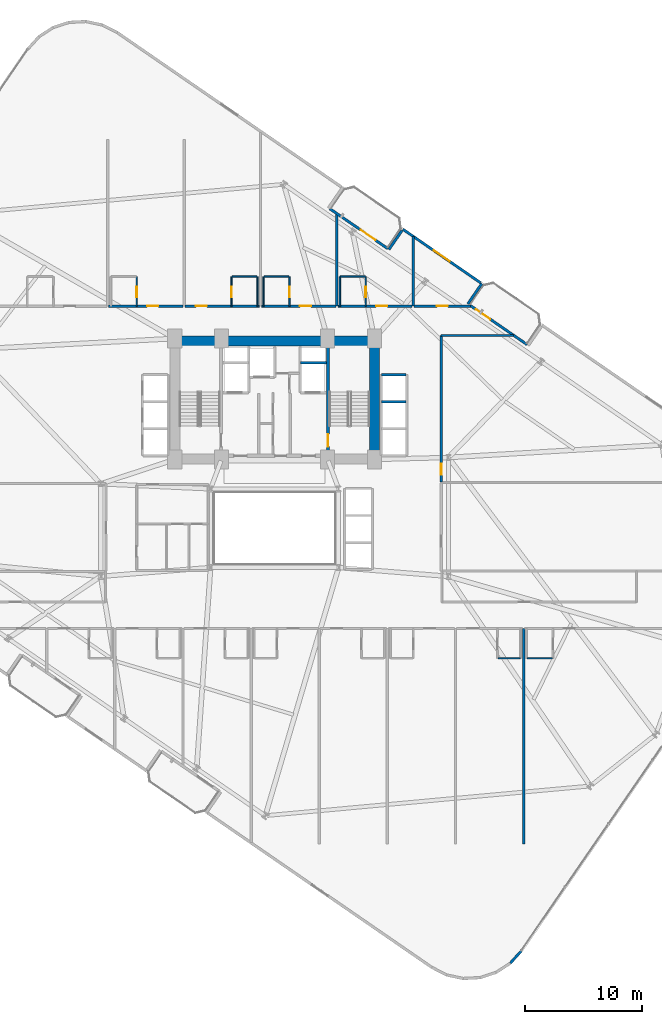
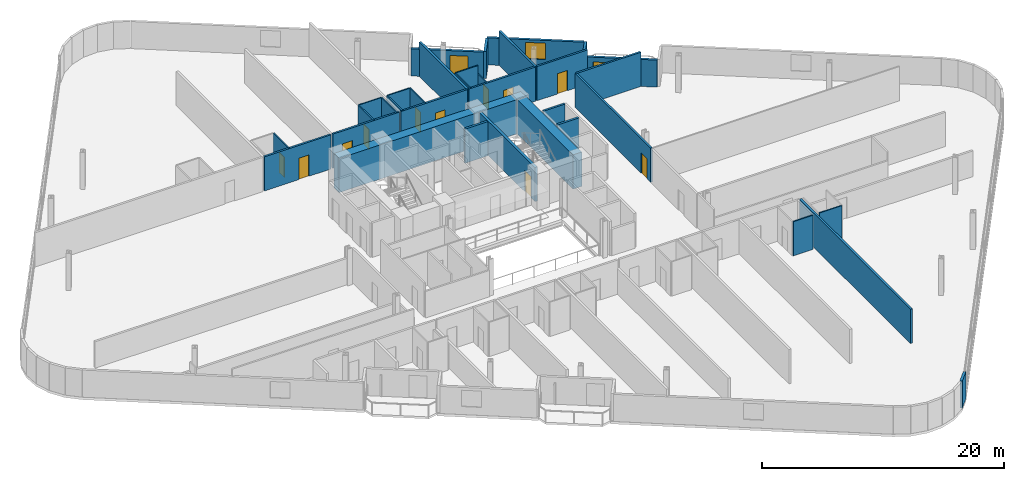
# One storey, part 20 of 25: 34 walls, 13 doors, 1 window, 14 openings.
"""IFC4 building model written with IfcOpenShell, lengths in metres."""

from ifc_helpers import new_model, si_unit, direction, frame, frame_2d, origin, place, context, subcontext, project, spatial, rectangle, extrude, material, layer, layer_set, type_object, element, fill, save


model = new_model("IFC4")

# Units and contexts
model_context = context("Model", 3, precision=1e-05, world=origin(), true_north=direction((0.0, 1.0)))
body_context = subcontext(model_context, "Body", "Model", "MODEL_VIEW")
ifc_project = project(units=[si_unit("LENGTHUNIT", "METRE"), si_unit("AREAUNIT", "SQUARE_METRE"), si_unit("VOLUMEUNIT", "CUBIC_METRE"), si_unit("PLANEANGLEUNIT", "RADIAN"), si_unit("MASSUNIT", "GRAM", prefix="KILO")], contexts=[model_context])

# Site, building, storey
site_placement = place(None, origin())
site = spatial("IfcSite", under=ifc_project, at=site_placement, CompositionType="ELEMENT")
building_placement = place(site_placement, origin())
building = spatial("IfcBuilding", under=site, at=building_placement, Name="Varnelok Gate Tower", CompositionType="ELEMENT")
storey_placement = place(building_placement, frame((0.0, 0.0, 64.0)))
storey = spatial("IfcBuildingStorey", under=building, at=storey_placement, Name="L15", CompositionType="ELEMENT", Elevation=64.0)

# Wall, opening, door
ifc_material_1 = material(Name="Concrete C45/55", Category="concrete")
ifc_layer_1 = layer(ifc_material_1, 0.219970703125)
ifc_layer_set_1 = layer_set([ifc_layer_1], Name="Concrete C45/55")
wall_type_1 = type_object("IfcWallType", Name="EW-BALC-220", PredefinedType="SOLIDWALL", material=ifc_layer_set_1)
wall_1_placement = place(storey_placement, frame((43.898193359375, 50.1015625, 0.0), z_axis=(0.0, 0.0, 1.0), x_axis=(0.823534636215, -0.567265989598, 0.0)))
wall_1 = element("IfcWall", 1, at=wall_1_placement, inside=storey, type_object=wall_type_1, Name="L15 North Terrace Envelope Wall 3", PredefinedType="SOLIDWALL", context=body_context, shape_type="SweptSolid", body=[
    extrude(rectangle(XDim=6.0, YDim=0.219970703125, at=frame_2d((3.0, 0.0))), origin(), (0.0, 0.0, 1.0), 2.72998046875),
])
opening_1_placement = place(wall_1_placement, frame((3.2119140625, 0.0, 0.0)))
opening_1 = element("IfcOpeningElement", 2, at=opening_1_placement, cuts=wall_1, Name="Opening BD-1", PredefinedType="OPENING", context=body_context, shape_type="SweptSolid", body=[
    extrude(rectangle(XDim=1.5, YDim=2.25, at=frame_2d((0.75, 1.125))), frame((0.0, 0.119873046875, 0.0), z_axis=(0.0, -1.0, 0.0), x_axis=(1.0, 0.0, 0.0)), (0.0, 0.0, 1.0), 0.239990234375),
])
ifc_material_2 = material(Name="Anodized Aluminum Alloy 6063-T6", Category="aluminium")
door_type_1 = type_object("IfcDoorType", Name="DR-EXT-BALC1500", OperationType="NOTDEFINED", PredefinedType="DOOR", material=ifc_material_2)
door_1_placement = place(opening_1_placement, origin())
door_1 = element("IfcDoor", 3, at=door_1_placement, inside=storey, type_object=door_type_1, Name="L15 North Balcony Glazed Door 3", OperationType="SINGLE_SWING_RIGHT", OverallHeight=2.25, OverallWidth=1.5, PredefinedType="DOOR", context=body_context, shape_type="SweptSolid", body=[
    extrude(rectangle(XDim=1.5, YDim=2.25, at=frame_2d((0.75, 1.125))), frame((0.0, 0.02490234375, 0.0), z_axis=(0.0, -1.0, 0.0), x_axis=(1.0, 0.0, 0.0)), (0.0, 0.0, 1.0), 0.050048828125),
])
fill(opening_1, door_1)

wall_2_placement = place(storey_placement, frame((55.757080078125, 41.932861328125, 0.0), z_axis=(0.0, 0.0, 1.0), x_axis=(0.823534636215, -0.567265989598, 0.0)))
wall_2 = element("IfcWall", 4, at=wall_2_placement, inside=storey, type_object=wall_type_1, Name="L15 North Terrace Envelope Wall 4", PredefinedType="SOLIDWALL", context=body_context, shape_type="SweptSolid", body=[
    extrude(rectangle(XDim=6.0, YDim=0.219970703125, at=frame_2d((3.0, 0.0))), origin(), (0.0, 0.0, 1.0), 2.72998046875),
])
opening_2_placement = place(wall_2_placement, frame((0.696044921875, 0.0, 0.0)))
opening_2 = element("IfcOpeningElement", 5, at=opening_2_placement, cuts=wall_2, Name="Opening BD-1", PredefinedType="OPENING", context=body_context, shape_type="SweptSolid", body=[
    extrude(rectangle(XDim=1.5, YDim=2.25, at=frame_2d((0.75, 1.125))), frame((0.0, 0.119873046875, 0.0), z_axis=(0.0, -1.0, 0.0), x_axis=(1.0, 0.0, 0.0)), (0.0, 0.0, 1.0), 0.239990234375),
])
door_2_placement = place(opening_2_placement, origin())
door_2 = element("IfcDoor", 6, at=door_2_placement, inside=storey, type_object=door_type_1, Name="L15 North Balcony Glazed Door 4", OperationType="SINGLE_SWING_LEFT", OverallHeight=2.25, OverallWidth=1.5, PredefinedType="DOOR", context=body_context, shape_type="SweptSolid", body=[
    extrude(rectangle(XDim=1.5, YDim=2.25, at=frame_2d((0.75, 1.125))), frame((0.0, 0.02490234375, 0.0), z_axis=(0.0, -1.0, 0.0), x_axis=(1.0, 0.0, 0.0)), (0.0, 0.0, 1.0), 0.050048828125),
])
fill(opening_2, door_2)

# Walls
wall_3_placement = place(storey_placement, frame((59.26611328125, -14.13525390625, 0.0), z_axis=(0.0, 0.0, 1.0), x_axis=(0.669866433955, 0.742481623113, 0.0)))
element("IfcWall", 7, at=wall_3_placement, inside=storey, type_object=wall_type_1, Name="L15 Perimeter Facade Closure Wall 19", PredefinedType="SOLIDWALL", context=body_context, shape_type="SweptSolid", body=[
    extrude(rectangle(XDim=1.4052734375, YDim=0.219970703125, at=frame_2d((0.70263671875, 0.0))), origin(), (0.0, 0.0, 1.0), 2.72998046875),
])
wall_4_placement = place(storey_placement, frame((55.652587890625, 41.99267578125, 0.0), z_axis=(0.0, 0.0, 1.0), x_axis=(0.567273696173, 0.823529327729, 0.0)))
element("IfcWall", 8, at=wall_4_placement, inside=storey, type_object=wall_type_1, Name="L15 Perimeter Facade Closure Wall 28", PredefinedType="SOLIDWALL", context=body_context, shape_type="SweptSolid", body=[
    extrude(rectangle(XDim=2.099853515625, YDim=0.219970703125, at=frame_2d((1.0498046875, 0.0))), origin(), (0.0, 0.0, 1.0), 2.72998046875),
])

# Wall, opening, window
wall_5_placement = place(storey_placement, frame((56.740966796875, 43.79296875, 0.0), z_axis=(0.0, 0.0, 1.0), x_axis=(-0.823530942962, 0.56727135128, 0.0)))
wall_5 = element("IfcWall", 9, at=wall_5_placement, inside=storey, type_object=wall_type_1, Name="L15 Perimeter Facade Closure Wall 29", PredefinedType="SOLIDWALL", context=body_context, shape_type="SweptSolid", body=[
    extrude(rectangle(XDim=8.03515625, YDim=0.219970703125, at=frame_2d((4.017578125, 0.0))), origin(), (0.0, 0.0, 1.0), 2.72998046875),
])
opening_3_placement = place(wall_5_placement, frame((3.1923828125, 0.0, 0.800048828125)))
opening_3 = element("IfcOpeningElement", 10, at=opening_3_placement, cuts=wall_5, Name="Opening WN3", PredefinedType="OPENING", context=body_context, shape_type="SweptSolid", body=[
    extrude(rectangle(XDim=1.64990234375, YDim=1.64990234375, at=frame_2d((0.824951171875, 0.824951171875))), frame((0.0, 0.119873046875, 0.0), z_axis=(0.0, -1.0, 0.0), x_axis=(1.0, 0.0, 0.0)), (0.0, 0.0, 1.0), 0.239990234375),
])
ifc_material_3 = material(Name="Low-E Laminated Double Glazing IGU", Category="glass")
window_type = type_object("IfcWindowType", Name="WN-HTL-1650", PartitioningType="SINGLE_PANEL", PredefinedType="WINDOW", material=ifc_material_3)
window_placement = place(opening_3_placement, origin())
window = element("IfcWindow", 11, at=window_placement, inside=storey, type_object=window_type, Name="L15 Perimeter Vision Window 29", OverallHeight=1.64990234375, OverallWidth=1.64990234375, PartitioningType="SINGLE_PANEL", PredefinedType="WINDOW", context=body_context, shape_type="SweptSolid", body=[
    extrude(rectangle(XDim=1.64990234375, YDim=1.64990234375, at=frame_2d((0.824951171875, 0.824951171875))), frame((0.0, 0.030029296875, 0.0), z_axis=(0.0, -1.0, 0.0), x_axis=(1.0, 0.0, 0.0)), (0.0, 0.0, 1.0), 0.06005859375),
])
fill(opening_3, window)

# Wall
wall_6_placement = place(storey_placement, frame((50.052978515625, 48.248046875, 0.0), z_axis=(0.0, 0.0, 1.0), x_axis=(-0.567273565974, -0.823529417415, 0.0)))
element("IfcWall", 12, at=wall_6_placement, inside=storey, type_object=wall_type_1, Name="L15 Perimeter Facade Closure Wall 30", PredefinedType="SOLIDWALL", context=body_context, shape_type="SweptSolid", body=[
    extrude(rectangle(XDim=1.97509765625, YDim=0.219970703125, at=frame_2d((0.987548828125, 0.0))), origin(), (0.0, 0.0, 1.0), 2.72998046875),
])

# Wall, opening, door
ifc_material_4 = material(Name="Gypsum Plasterboard Acoustic Partition", Category="gypsum")
ifc_layer_2 = layer(ifc_material_4, 0.179931640625)
ifc_layer_set_2 = layer_set([ifc_layer_2], Name="Gypsum Plasterboard Acoustic Partition")
wall_type_2 = type_object("IfcWallType", Name="PW-CORR-180", PredefinedType="PARTITIONING", material=ifc_layer_set_2)
wall_7_placement = place(storey_placement, frame((25.080078125, 41.800048828125, 0.0), z_axis=(0.0, 0.0, 1.0), x_axis=(1.0, 0.0, 0.0)))
wall_7 = element("IfcWall", 13, at=wall_7_placement, inside=storey, type_object=wall_type_2, Name="Interior Partition", PredefinedType="PARTITIONING", context=body_context, shape_type="SweptSolid", body=[
    extrude(rectangle(XDim=6.33984375, YDim=0.179931640625, at=frame_2d((3.169921875, 0.0))), origin(), (0.0, 0.0, 1.0), 3.449951171875),
])
opening_4_placement = place(wall_7_placement, frame((3.273681640625, 0.0, 0.0)))
opening_4 = element("IfcOpeningElement", 14, at=opening_4_placement, cuts=wall_7, Name="Opening D-HT", PredefinedType="OPENING", context=body_context, shape_type="SweptSolid", body=[
    extrude(rectangle(XDim=0.949951171875, YDim=2.14990234375, at=frame_2d((0.47509765625, 1.074951171875))), frame((0.0, 0.099853515625, 0.0), z_axis=(0.0, -1.0, 0.0), x_axis=(1.0, 0.0, 0.0)), (0.0, 0.0, 1.0), 0.199951171875),
])
ifc_material_5 = material(Name="Engineered Hardwood Timber", Category="wood")
door_type_2 = type_object("IfcDoorType", Name="DR-HTL-950", OperationType="NOTDEFINED", PredefinedType="DOOR", material=ifc_material_5)
door_3_placement = place(opening_4_placement, origin())
door_3 = element("IfcDoor", 15, at=door_3_placement, inside=storey, type_object=door_type_2, Name="L15 Guest Room 12 Entrance Door", OperationType="SINGLE_SWING_LEFT", OverallHeight=2.14990234375, OverallWidth=0.949951171875, PredefinedType="DOOR", context=body_context, shape_type="SweptSolid", body=[
    extrude(rectangle(XDim=0.949951171875, YDim=2.14990234375, at=frame_2d((0.47509765625, 1.074951171875))), frame((0.0, 0.02490234375, 0.0), z_axis=(0.0, -1.0, 0.0), x_axis=(1.0, 0.0, 0.0)), (0.0, 0.0, 1.0), 0.050048828125),
])
fill(opening_4, door_3)

wall_8_placement = place(storey_placement, frame((31.580078125, 41.800048828125, 0.0), z_axis=(0.0, 0.0, 1.0), x_axis=(1.0, 0.0, 0.0)))
wall_8 = element("IfcWall", 16, at=wall_8_placement, inside=storey, type_object=wall_type_2, Name="Interior Partition", PredefinedType="PARTITIONING", context=body_context, shape_type="SweptSolid", body=[
    extrude(rectangle(XDim=6.33984375, YDim=0.179931640625, at=frame_2d((3.169921875, 0.0))), origin(), (0.0, 0.0, 1.0), 3.449951171875),
])
opening_5_placement = place(wall_8_placement, frame((0.90966796875, 0.0, 0.0)))
opening_5 = element("IfcOpeningElement", 17, at=opening_5_placement, cuts=wall_8, Name="Opening D-HT", PredefinedType="OPENING", context=body_context, shape_type="SweptSolid", body=[
    extrude(rectangle(XDim=0.949951171875, YDim=2.14990234375, at=frame_2d((0.47509765625, 1.074951171875))), frame((0.0, 0.099853515625, 0.0), z_axis=(0.0, -1.0, 0.0), x_axis=(1.0, 0.0, 0.0)), (0.0, 0.0, 1.0), 0.199951171875),
])
door_4_placement = place(opening_5_placement, origin())
door_4 = element("IfcDoor", 18, at=door_4_placement, inside=storey, type_object=door_type_2, Name="L15 Guest Room 13 Entrance Door", OperationType="SINGLE_SWING_RIGHT", OverallHeight=2.14990234375, OverallWidth=0.949951171875, PredefinedType="DOOR", context=body_context, shape_type="SweptSolid", body=[
    extrude(rectangle(XDim=0.949951171875, YDim=2.14990234375, at=frame_2d((0.47509765625, 1.074951171875))), frame((0.0, 0.02490234375, 0.0), z_axis=(0.0, -1.0, 0.0), x_axis=(1.0, 0.0, 0.0)), (0.0, 0.0, 1.0), 0.050048828125),
])
fill(opening_5, door_4)

wall_9_placement = place(storey_placement, frame((38.080078125, 41.800048828125, 0.0), z_axis=(0.0, 0.0, 1.0), x_axis=(1.0, 0.0, 0.0)))
wall_9 = element("IfcWall", 19, at=wall_9_placement, inside=storey, type_object=wall_type_2, Name="Interior Partition", PredefinedType="PARTITIONING", context=body_context, shape_type="SweptSolid", body=[
    extrude(rectangle(XDim=6.33984375, YDim=0.179931640625, at=frame_2d((3.169921875, 0.0))), origin(), (0.0, 0.0, 1.0), 3.449951171875),
])
opening_6_placement = place(wall_9_placement, frame((3.273681640625, 0.0, 0.0)))
opening_6 = element("IfcOpeningElement", 20, at=opening_6_placement, cuts=wall_9, Name="Opening D-HT", PredefinedType="OPENING", context=body_context, shape_type="SweptSolid", body=[
    extrude(rectangle(XDim=0.949951171875, YDim=2.14990234375, at=frame_2d((0.47509765625, 1.074951171875))), frame((0.0, 0.099853515625, 0.0), z_axis=(0.0, -1.0, 0.0), x_axis=(1.0, 0.0, 0.0)), (0.0, 0.0, 1.0), 0.199951171875),
])
door_5_placement = place(opening_6_placement, origin())
door_5 = element("IfcDoor", 21, at=door_5_placement, inside=storey, type_object=door_type_2, Name="L15 Guest Room 14 Entrance Door", OperationType="SINGLE_SWING_LEFT", OverallHeight=2.14990234375, OverallWidth=0.949951171875, PredefinedType="DOOR", context=body_context, shape_type="SweptSolid", body=[
    extrude(rectangle(XDim=0.949951171875, YDim=2.14990234375, at=frame_2d((0.47509765625, 1.074951171875))), frame((0.0, 0.02490234375, 0.0), z_axis=(0.0, -1.0, 0.0), x_axis=(1.0, 0.0, 0.0)), (0.0, 0.0, 1.0), 0.050048828125),
])
fill(opening_6, door_5)

wall_10_placement = place(storey_placement, frame((44.580078125, 41.800048828125, 0.0), z_axis=(0.0, 0.0, 1.0), x_axis=(1.0, 0.0, 0.0)))
wall_10 = element("IfcWall", 22, at=wall_10_placement, inside=storey, type_object=wall_type_2, Name="Interior Partition", PredefinedType="PARTITIONING", context=body_context, shape_type="SweptSolid", body=[
    extrude(rectangle(XDim=6.33984375, YDim=0.179931640625, at=frame_2d((3.169921875, 0.0))), origin(), (0.0, 0.0, 1.0), 3.449951171875),
])
opening_7_placement = place(wall_10_placement, frame((3.273681640625, 0.0, 0.0)))
opening_7 = element("IfcOpeningElement", 23, at=opening_7_placement, cuts=wall_10, Name="Opening D-HT", PredefinedType="OPENING", context=body_context, shape_type="SweptSolid", body=[
    extrude(rectangle(XDim=0.949951171875, YDim=2.14990234375, at=frame_2d((0.47509765625, 1.074951171875))), frame((0.0, 0.099853515625, 0.0), z_axis=(0.0, -1.0, 0.0), x_axis=(1.0, 0.0, 0.0)), (0.0, 0.0, 1.0), 0.199951171875),
])
door_6_placement = place(opening_7_placement, origin())
door_6 = element("IfcDoor", 24, at=door_6_placement, inside=storey, type_object=door_type_2, Name="L15 Guest Room 15 Entrance Door", OperationType="SINGLE_SWING_RIGHT", OverallHeight=2.14990234375, OverallWidth=0.949951171875, PredefinedType="DOOR", context=body_context, shape_type="SweptSolid", body=[
    extrude(rectangle(XDim=0.949951171875, YDim=2.14990234375, at=frame_2d((0.47509765625, 1.074951171875))), frame((0.0, 0.02490234375, 0.0), z_axis=(0.0, -1.0, 0.0), x_axis=(1.0, 0.0, 0.0)), (0.0, 0.0, 1.0), 0.050048828125),
])
fill(opening_7, door_6)

wall_11_placement = place(storey_placement, frame((51.080078125, 41.800048828125, 0.0), z_axis=(0.0, 0.0, 1.0), x_axis=(1.0, 0.0, 0.0)))
wall_11 = element("IfcWall", 25, at=wall_11_placement, inside=storey, type_object=wall_type_2, Name="Interior Partition", PredefinedType="PARTITIONING", context=body_context, shape_type="SweptSolid", body=[
    extrude(rectangle(XDim=4.81689453125, YDim=0.179931640625, at=frame_2d((2.408447265625, 0.0))), origin(), (0.0, 0.0, 1.0), 3.449951171875),
])
opening_8_placement = place(wall_11_placement, frame((1.93359375, 0.0, 0.0)))
opening_8 = element("IfcOpeningElement", 26, at=opening_8_placement, cuts=wall_11, Name="Opening D-I2", PredefinedType="OPENING", context=body_context, shape_type="SweptSolid", body=[
    extrude(rectangle(XDim=0.949951171875, YDim=2.050048828125, at=frame_2d((0.47509765625, 1.02490234375))), frame((0.0, 0.099853515625, 0.0), z_axis=(0.0, -1.0, 0.0), x_axis=(1.0, 0.0, 0.0)), (0.0, 0.0, 1.0), 0.199951171875),
])
door_type_3 = type_object("IfcDoorType", Name="DR-INT-950", OperationType="NOTDEFINED", PredefinedType="DOOR", material=ifc_material_5)
door_7_placement = place(opening_8_placement, origin())
door_7 = element("IfcDoor", 27, at=door_7_placement, inside=storey, type_object=door_type_3, Name="L15 Children Playroom Door", OperationType="SINGLE_SWING_LEFT", OverallHeight=2.050048828125, OverallWidth=0.949951171875, PredefinedType="DOOR", context=body_context, shape_type="SweptSolid", body=[
    extrude(rectangle(XDim=0.949951171875, YDim=2.050048828125, at=frame_2d((0.47509765625, 1.02490234375))), frame((0.0, 0.02490234375, 0.0), z_axis=(0.0, -1.0, 0.0), x_axis=(1.0, 0.0, 0.0)), (0.0, 0.0, 1.0), 0.050048828125),
])
fill(opening_8, door_7)

wall_12_placement = place(storey_placement, frame((53.389892578125, 26.840087890625, 0.0), z_axis=(0.0, 0.0, 1.0), x_axis=(0.0, 1.0, 0.0)))
wall_12 = element("IfcWall", 28, at=wall_12_placement, inside=storey, type_object=wall_type_2, Name="Interior Partition", PredefinedType="PARTITIONING", context=body_context, shape_type="SweptSolid", body=[
    extrude(rectangle(XDim=12.4599609375, YDim=0.179931640625, at=frame_2d((6.22998046875, 0.0))), origin(), (0.0, 0.0, 1.0), 3.449951171875),
])
opening_9_placement = place(wall_12_placement, frame((0.6181640625, 0.0, 0.0)))
opening_9 = element("IfcOpeningElement", 29, at=opening_9_placement, cuts=wall_12, Name="Opening D-I3", PredefinedType="OPENING", context=body_context, shape_type="SweptSolid", body=[
    extrude(rectangle(XDim=0.919921875, YDim=2.050048828125, at=frame_2d((0.4599609375, 1.02490234375))), frame((0.0, 0.099853515625, 0.0), z_axis=(0.0, -1.0, 0.0), x_axis=(1.0, 0.0, 0.0)), (0.0, 0.0, 1.0), 0.199951171875),
])
door_type_4 = type_object("IfcDoorType", Name="DR-INT-920", OperationType="NOTDEFINED", PredefinedType="DOOR", material=ifc_material_5)
door_8_placement = place(opening_9_placement, origin())
door_8 = element("IfcDoor", 30, at=door_8_placement, inside=storey, type_object=door_type_4, Name="L15 East Playroom Door", OperationType="SINGLE_SWING_LEFT", OverallHeight=2.050048828125, OverallWidth=0.919921875, PredefinedType="DOOR", context=body_context, shape_type="SweptSolid", body=[
    extrude(rectangle(XDim=0.919921875, YDim=2.050048828125, at=frame_2d((0.4599609375, 1.02490234375))), frame((0.0, 0.02490234375, 0.0), z_axis=(0.0, -1.0, 0.0), x_axis=(1.0, 0.0, 0.0)), (0.0, 0.0, 1.0), 0.050048828125),
])
fill(opening_9, door_8)

# Walls
wall_13_placement = place(storey_placement, frame((53.389892578125, 39.300048828125, 0.0), z_axis=(0.0, 0.0, 1.0), x_axis=(1.0, 0.0, 0.0)))
element("IfcWall", 31, at=wall_13_placement, inside=storey, type_object=wall_type_2, Name="Interior Partition", PredefinedType="PARTITIONING", context=body_context, shape_type="SweptSolid", body=[
    extrude(rectangle(XDim=6.136474609375, YDim=0.179931640625, at=frame_2d((3.068359375, 0.0))), origin(), (0.0, 0.0, 1.0), 3.449951171875),
])
ifc_layer_3 = layer(ifc_material_4, 0.114990234375)
ifc_layer_set_3 = layer_set([ifc_layer_3], Name="Gypsum Plasterboard Acoustic Partition")
wall_type_3 = type_object("IfcWallType", Name="PW-ENS-125", PredefinedType="PARTITIONING", material=ifc_layer_set_3)
wall_14_placement = place(storey_placement, frame((58.22802734375, 11.830078125, 0.0), z_axis=(0.0, 0.0, 1.0), x_axis=(1.0, 0.0, 0.0)))
element("IfcWall", 32, at=wall_14_placement, inside=storey, type_object=wall_type_3, Name="Interior Partition", PredefinedType="PARTITIONING", context=body_context, shape_type="SweptSolid", body=[
    extrude(rectangle(XDim=1.8720703125, YDim=0.114990234375, at=frame_2d((0.93603515625, 0.0))), origin(), (0.0, 0.0, 1.0), 3.449951171875),
])
wall_15_placement = place(storey_placement, frame((60.699951171875, 11.830078125, 0.0), z_axis=(0.0, 0.0, 1.0), x_axis=(1.0, 0.0, 0.0)))
element("IfcWall", 33, at=wall_15_placement, inside=storey, type_object=wall_type_3, Name="Interior Partition", PredefinedType="PARTITIONING", context=body_context, shape_type="SweptSolid", body=[
    extrude(rectangle(XDim=2.150146484375, YDim=0.114990234375, at=frame_2d((1.0751953125, 0.0))), origin(), (0.0, 0.0, 1.0), 3.449951171875),
])

# Wall, opening, door
wall_16_placement = place(storey_placement, frame((27.464111328125, 41.800048828125, 0.0), z_axis=(0.0, 0.0, 1.0), x_axis=(0.0, 1.0, 0.0)))
wall_16 = element("IfcWall", 34, at=wall_16_placement, inside=storey, type_object=wall_type_3, Name="Interior Partition", PredefinedType="PARTITIONING", context=body_context, shape_type="SweptSolid", body=[
    extrude(rectangle(XDim=2.52001953125, YDim=0.114990234375, at=frame_2d((1.260009765625, 0.0))), origin(), (0.0, 0.0, 1.0), 3.449951171875),
])
opening_10_placement = place(wall_16_placement, frame((0.760009765625, 0.0, 0.0)))
opening_10 = element("IfcOpeningElement", 35, at=opening_10_placement, cuts=wall_16, Name="Opening D-WC", PredefinedType="OPENING", context=body_context, shape_type="SweptSolid", body=[
    extrude(rectangle(XDim=0.89990234375, YDim=2.050048828125, at=frame_2d((0.449951171875, 1.02490234375))), frame((0.0, 0.0673828125, 0.0), z_axis=(0.0, -1.0, 0.0), x_axis=(1.0, 0.0, 0.0)), (0.0, 0.0, 1.0), 0.135009765625),
])
door_type_5 = type_object("IfcDoorType", Name="DR-BATH-900", OperationType="NOTDEFINED", PredefinedType="DOOR", material=ifc_material_5)
door_9_placement = place(opening_10_placement, origin())
door_9 = element("IfcDoor", 36, at=door_9_placement, inside=storey, type_object=door_type_5, Name="L15 North En-Suite 12 Door", OperationType="SINGLE_SWING_RIGHT", OverallHeight=2.050048828125, OverallWidth=0.89990234375, PredefinedType="DOOR", context=body_context, shape_type="SweptSolid", body=[
    extrude(rectangle(XDim=0.89990234375, YDim=2.050048828125, at=frame_2d((0.449951171875, 1.02490234375))), frame((0.0, 0.02490234375, 0.0), z_axis=(0.0, -1.0, 0.0), x_axis=(1.0, 0.0, 0.0)), (0.0, 0.0, 1.0), 0.050048828125),
])
fill(opening_10, door_9)

# Wall
wall_17_placement = place(storey_placement, frame((35.575927734375, 44.320068359375, 0.0), z_axis=(0.0, 0.0, 1.0), x_axis=(1.0, 0.0, 0.0)))
element("IfcWall", 37, at=wall_17_placement, inside=storey, type_object=wall_type_3, Name="Interior Partition", PredefinedType="PARTITIONING", context=body_context, shape_type="SweptSolid", body=[
    extrude(rectangle(XDim=2.1240234375, YDim=0.114990234375, at=frame_2d((1.06201171875, 0.0))), origin(), (0.0, 0.0, 1.0), 3.449951171875),
])

# Wall, opening, door
wall_18_placement = place(storey_placement, frame((35.535888671875, 41.800048828125, 0.0), z_axis=(0.0, 0.0, 1.0), x_axis=(0.0, 1.0, 0.0)))
wall_18 = element("IfcWall", 38, at=wall_18_placement, inside=storey, type_object=wall_type_3, Name="Interior Partition", PredefinedType="PARTITIONING", context=body_context, shape_type="SweptSolid", body=[
    extrude(rectangle(XDim=2.52001953125, YDim=0.114990234375, at=frame_2d((1.260009765625, 0.0))), origin(), (0.0, 0.0, 1.0), 3.449951171875),
])
opening_11_placement = place(wall_18_placement, frame((0.760009765625, 0.0, 0.0)))
opening_11 = element("IfcOpeningElement", 39, at=opening_11_placement, cuts=wall_18, Name="Opening D-WC", PredefinedType="OPENING", context=body_context, shape_type="SweptSolid", body=[
    extrude(rectangle(XDim=0.89990234375, YDim=2.050048828125, at=frame_2d((0.449951171875, 1.02490234375))), frame((0.0, 0.0673828125, 0.0), z_axis=(0.0, -1.0, 0.0), x_axis=(1.0, 0.0, 0.0)), (0.0, 0.0, 1.0), 0.135009765625),
])
door_10_placement = place(opening_11_placement, origin())
door_10 = element("IfcDoor", 40, at=door_10_placement, inside=storey, type_object=door_type_5, Name="L15 North En-Suite 13 Door", OperationType="SINGLE_SWING_LEFT", OverallHeight=2.050048828125, OverallWidth=0.89990234375, PredefinedType="DOOR", context=body_context, shape_type="SweptSolid", body=[
    extrude(rectangle(XDim=0.89990234375, YDim=2.050048828125, at=frame_2d((0.449951171875, 1.02490234375))), frame((0.0, 0.02490234375, 0.0), z_axis=(0.0, -1.0, 0.0), x_axis=(1.0, 0.0, 0.0)), (0.0, 0.0, 1.0), 0.050048828125),
])
fill(opening_11, door_10)

# Walls
wall_19_placement = place(storey_placement, frame((37.739990234375, 41.800048828125, 0.0), z_axis=(0.0, 0.0, 1.0), x_axis=(0.0, 1.0, 0.0)))
element("IfcWall", 41, at=wall_19_placement, inside=storey, type_object=wall_type_3, Name="Interior Partition", PredefinedType="PARTITIONING", context=body_context, shape_type="SweptSolid", body=[
    extrude(rectangle(XDim=2.52001953125, YDim=0.114990234375, at=frame_2d((1.260009765625, 0.0))), origin(), (0.0, 0.0, 1.0), 3.449951171875),
])
wall_20_placement = place(storey_placement, frame((38.300048828125, 44.320068359375, 0.0), z_axis=(0.0, 0.0, 1.0), x_axis=(1.0, 0.0, 0.0)))
element("IfcWall", 42, at=wall_20_placement, inside=storey, type_object=wall_type_3, Name="Interior Partition", PredefinedType="PARTITIONING", context=body_context, shape_type="SweptSolid", body=[
    extrude(rectangle(XDim=2.1240234375, YDim=0.114990234375, at=frame_2d((1.06201171875, 0.0))), origin(), (0.0, 0.0, 1.0), 3.449951171875),
])

# Wall, opening, door
wall_21_placement = place(storey_placement, frame((40.464111328125, 41.800048828125, 0.0), z_axis=(0.0, 0.0, 1.0), x_axis=(0.0, 1.0, 0.0)))
wall_21 = element("IfcWall", 43, at=wall_21_placement, inside=storey, type_object=wall_type_3, Name="Interior Partition", PredefinedType="PARTITIONING", context=body_context, shape_type="SweptSolid", body=[
    extrude(rectangle(XDim=2.52001953125, YDim=0.114990234375, at=frame_2d((1.260009765625, 0.0))), origin(), (0.0, 0.0, 1.0), 3.449951171875),
])
opening_12_placement = place(wall_21_placement, frame((0.760009765625, 0.0, 0.0)))
opening_12 = element("IfcOpeningElement", 44, at=opening_12_placement, cuts=wall_21, Name="Opening D-WC", PredefinedType="OPENING", context=body_context, shape_type="SweptSolid", body=[
    extrude(rectangle(XDim=0.89990234375, YDim=2.050048828125, at=frame_2d((0.449951171875, 1.02490234375))), frame((0.0, 0.0673828125, 0.0), z_axis=(0.0, -1.0, 0.0), x_axis=(1.0, 0.0, 0.0)), (0.0, 0.0, 1.0), 0.135009765625),
])
door_11_placement = place(opening_12_placement, origin())
door_11 = element("IfcDoor", 45, at=door_11_placement, inside=storey, type_object=door_type_5, Name="L15 North En-Suite 14 Door", OperationType="SINGLE_SWING_RIGHT", OverallHeight=2.050048828125, OverallWidth=0.89990234375, PredefinedType="DOOR", context=body_context, shape_type="SweptSolid", body=[
    extrude(rectangle(XDim=0.89990234375, YDim=2.050048828125, at=frame_2d((0.449951171875, 1.02490234375))), frame((0.0, 0.02490234375, 0.0), z_axis=(0.0, -1.0, 0.0), x_axis=(1.0, 0.0, 0.0)), (0.0, 0.0, 1.0), 0.050048828125),
])
fill(opening_12, door_11)

# Walls
wall_22_placement = place(storey_placement, frame((38.260009765625, 41.800048828125, 0.0), z_axis=(0.0, 0.0, 1.0), x_axis=(0.0, 1.0, 0.0)))
element("IfcWall", 46, at=wall_22_placement, inside=storey, type_object=wall_type_3, Name="Interior Partition", PredefinedType="PARTITIONING", context=body_context, shape_type="SweptSolid", body=[
    extrude(rectangle(XDim=2.52001953125, YDim=0.114990234375, at=frame_2d((1.260009765625, 0.0))), origin(), (0.0, 0.0, 1.0), 3.449951171875),
])
wall_23_placement = place(storey_placement, frame((44.800048828125, 44.320068359375, 0.0), z_axis=(0.0, 0.0, 1.0), x_axis=(1.0, 0.0, 0.0)))
element("IfcWall", 47, at=wall_23_placement, inside=storey, type_object=wall_type_3, Name="Interior Partition", PredefinedType="PARTITIONING", context=body_context, shape_type="SweptSolid", body=[
    extrude(rectangle(XDim=2.1240234375, YDim=0.114990234375, at=frame_2d((1.06201171875, 0.0))), origin(), (0.0, 0.0, 1.0), 3.449951171875),
])

# Wall, opening, door
wall_24_placement = place(storey_placement, frame((46.964111328125, 41.800048828125, 0.0), z_axis=(0.0, 0.0, 1.0), x_axis=(0.0, 1.0, 0.0)))
wall_24 = element("IfcWall", 48, at=wall_24_placement, inside=storey, type_object=wall_type_3, Name="Interior Partition", PredefinedType="PARTITIONING", context=body_context, shape_type="SweptSolid", body=[
    extrude(rectangle(XDim=2.52001953125, YDim=0.114990234375, at=frame_2d((1.260009765625, 0.0))), origin(), (0.0, 0.0, 1.0), 2.580078125),
])
opening_13_placement = place(wall_24_placement, frame((0.760009765625, 0.0, 0.0)))
opening_13 = element("IfcOpeningElement", 49, at=opening_13_placement, cuts=wall_24, Name="Opening D-WC", PredefinedType="OPENING", context=body_context, shape_type="SweptSolid", body=[
    extrude(rectangle(XDim=0.89990234375, YDim=2.050048828125, at=frame_2d((0.449951171875, 1.02490234375))), frame((0.0, 0.0673828125, 0.0), z_axis=(0.0, -1.0, 0.0), x_axis=(1.0, 0.0, 0.0)), (0.0, 0.0, 1.0), 0.135009765625),
])
door_12_placement = place(opening_13_placement, origin())
door_12 = element("IfcDoor", 50, at=door_12_placement, inside=storey, type_object=door_type_5, Name="L15 North En-Suite 15 Door", OperationType="SINGLE_SWING_RIGHT", OverallHeight=2.050048828125, OverallWidth=0.89990234375, PredefinedType="DOOR", context=body_context, shape_type="SweptSolid", body=[
    extrude(rectangle(XDim=0.89990234375, YDim=2.050048828125, at=frame_2d((0.449951171875, 1.02490234375))), frame((0.0, 0.02490234375, 0.0), z_axis=(0.0, -1.0, 0.0), x_axis=(1.0, 0.0, 0.0)), (0.0, 0.0, 1.0), 0.050048828125),
])
fill(opening_13, door_12)

# Walls
wall_25_placement = place(storey_placement, frame((44.760009765625, 41.800048828125, 0.0), z_axis=(0.0, 0.0, 1.0), x_axis=(0.0, 1.0, 0.0)))
element("IfcWall", 51, at=wall_25_placement, inside=storey, type_object=wall_type_3, Name="Interior Partition", PredefinedType="PARTITIONING", context=body_context, shape_type="SweptSolid", body=[
    extrude(rectangle(XDim=2.52001953125, YDim=0.114990234375, at=frame_2d((1.260009765625, 0.0))), origin(), (0.0, 0.0, 1.0), 3.449951171875),
])
ifc_layer_4 = layer(ifc_material_4, 0.205078125)
ifc_layer_set_4 = layer_set([ifc_layer_4], Name="Gypsum Plasterboard Acoustic Partition")
wall_type_4 = type_object("IfcWallType", Name="PW-PARTY-200", PredefinedType="PARTITIONING", material=ifc_layer_set_4)
wall_26_placement = place(storey_placement, frame((60.39990234375, -4.0, 0.0), z_axis=(0.0, 0.0, 1.0), x_axis=(0.0, 1.0, 0.0)))
element("IfcWall", 52, at=wall_26_placement, inside=storey, type_object=wall_type_4, Name="L15 South Party Wall 9", PredefinedType="PARTITIONING", context=body_context, shape_type="SweptSolid", body=[
    extrude(rectangle(XDim=18.35009765625, YDim=0.205078125, at=frame_2d((9.175048828125, 0.0))), origin(), (0.0, 0.0, 1.0), 3.449951171875),
])
wall_27_placement = place(storey_placement, frame((44.5, 41.800048828125, 0.0), z_axis=(0.0, 0.0, 1.0), x_axis=(0.0, 1.0, 0.0)))
element("IfcWall", 53, at=wall_27_placement, inside=storey, type_object=wall_type_4, Name="L15 North Party Wall 4", PredefinedType="PARTITIONING", context=body_context, shape_type="SweptSolid", body=[
    extrude(rectangle(XDim=7.8505859375, YDim=0.205078125, at=frame_2d((3.92529296875, 0.0))), origin(), (0.0, 0.0, 1.0), 3.449951171875),
])
wall_28_placement = place(storey_placement, frame((51.0, 41.800048828125, 0.0), z_axis=(0.0, 0.0, 1.0), x_axis=(0.0, 1.0, 0.0)))
element("IfcWall", 54, at=wall_28_placement, inside=storey, type_object=wall_type_4, Name="L15 North Party Wall 5", PredefinedType="PARTITIONING", context=body_context, shape_type="SweptSolid", body=[
    extrude(rectangle(XDim=5.923095703125, YDim=0.205078125, at=frame_2d((2.96142578125, 0.0))), origin(), (0.0, 0.0, 1.0), 3.449951171875),
])
ifc_material_6 = material(Name="Concrete C35/45", Category="concrete")
ifc_layer_5 = layer(ifc_material_6, 0.199951171875)
ifc_layer_set_5 = layer_set([ifc_layer_5], Name="Concrete C35/45")
wall_type_5 = type_object("IfcWallType", Name="PW-SHAFT-200", PredefinedType="PARTITIONING", material=ifc_layer_set_5)
wall_29_placement = place(storey_placement, frame((41.419921875, 36.97998046875, 0.0), z_axis=(0.0, 0.0, 1.0), x_axis=(1.0, 0.0, 0.0)))
element("IfcWall", 55, at=wall_29_placement, inside=storey, type_object=wall_type_5, Name="L15 FF2 Shaft North Wall", PredefinedType="PARTITIONING", context=body_context, shape_type="SweptSolid", body=[
    extrude(rectangle(XDim=2.18017578125, YDim=0.199951171875, at=frame_2d((1.090087890625, 0.0))), origin(), (0.0, 0.0, 1.0), 3.449951171875),
])
for number, where, z_axis, x_axis, name in (
    (56, (48.320068359375, 33.675048828125, 0.0), (0.0, 0.0, 1.0), (1.0, 0.0, 0.0), "L15 PM2 Divider"),
    (57, (48.320068359375, 35.969970703125, 0.0), (0.0, 0.0, 1.0), (1.0, 0.0, 0.0), "L15 PM Bank North Wall"),
):
    element("IfcWall", number, at=place(storey_placement, frame(where, z_axis=z_axis, x_axis=x_axis)), inside=storey, type_object=wall_type_5, Name=name, PredefinedType="PARTITIONING", context=body_context, shape_type="SweptSolid", body=[
        extrude(rectangle(XDim=2.059814453125, YDim=0.199951171875, at=frame_2d((1.02978515625, 0.0))), origin(), (0.0, 0.0, 1.0), 3.449951171875),
    ])
ifc_material_7 = material(Name="Concrete C70/85", Category="concrete")
ifc_layer_6 = layer(ifc_material_7, 0.85009765625)
ifc_layer_set_6 = layer_set([ifc_layer_6], Name="Concrete C70/85")
wall_type_6 = type_object("IfcWallType", Name="SW-CORE-850", PredefinedType="SHEAR", material=ifc_layer_set_6)
wall_30_placement = place(storey_placement, frame((30.280029296875, 38.844970703125, 0.0), z_axis=(0.0, 0.0, 1.0), x_axis=(1.0, 0.0, 0.0)))
element("IfcWall", 58, at=wall_30_placement, inside=storey, type_object=wall_type_6, Name="L15 Rear Core North Shear Wall", PredefinedType="SHEAR", context=body_context, shape_type="SweptSolid", body=[
    extrude(rectangle(XDim=17.840087890625, YDim=0.85009765625, at=frame_2d((8.919921875, 0.0))), origin(), (0.0, 0.0, 1.0), 3.449951171875),
])
wall_31_placement = place(storey_placement, frame((47.695068359375, 29.199951171875, 0.0), z_axis=(0.0, 0.0, 1.0), x_axis=(0.0, 1.0, 0.0)))
element("IfcWall", 59, at=wall_31_placement, inside=storey, type_object=wall_type_6, Name="L15 Rear Core East Shear Wall", PredefinedType="SHEAR", context=body_context, shape_type="SweptSolid", body=[
    extrude(rectangle(XDim=9.219970703125, YDim=0.85009765625, at=frame_2d((4.60986328125, 0.0))), origin(), (0.0, 0.0, 1.0), 3.449951171875),
])

# Wall, opening, door
ifc_material_8 = material(Name="Concrete C60/75", Category="concrete")
ifc_layer_7 = layer(ifc_material_8, 0.25)
ifc_layer_set_7 = layer_set([ifc_layer_7], Name="Concrete C60/75")
wall_type_7 = type_object("IfcWallType", Name="SW-SHAFT-250", PredefinedType="SHEAR", material=ifc_layer_set_7)
wall_32_placement = place(storey_placement, frame((43.760009765625, 29.199951171875, 0.0), z_axis=(0.0, 0.0, 1.0), x_axis=(0.0, 1.0, 0.0)))
wall_32 = element("IfcWall", 60, at=wall_32_placement, inside=storey, type_object=wall_type_7, Name="L15 Stair ST-2 West Shear Wall", PredefinedType="SHEAR", context=body_context, shape_type="SweptSolid", body=[
    extrude(rectangle(XDim=9.219970703125, YDim=0.25, at=frame_2d((4.60986328125, 0.0))), origin(), (0.0, 0.0, 1.0), 3.449951171875),
])
opening_14_placement = place(wall_32_placement, frame((0.64990234375, 0.0, 0.0)))
opening_14 = element("IfcOpeningElement", 61, at=opening_14_placement, cuts=wall_32, Name="Opening D-ST", PredefinedType="OPENING", context=body_context, shape_type="SweptSolid", body=[
    extrude(rectangle(XDim=1.050048828125, YDim=2.14990234375, at=frame_2d((0.52490234375, 1.074951171875))), frame((0.0, 0.135009765625, 0.0), z_axis=(0.0, -1.0, 0.0), x_axis=(1.0, 0.0, 0.0)), (0.0, 0.0, 1.0), 0.27001953125),
])
ifc_material_9 = material(Name="Galvanized Steel Grade S350GD", Category="steel")
door_type_6 = type_object("IfcDoorType", Name="DR-STAIR-1050", OperationType="NOTDEFINED", PredefinedType="DOOR", material=ifc_material_9)
door_13_placement = place(opening_14_placement, origin())
door_13 = element("IfcDoor", 62, at=door_13_placement, inside=storey, type_object=door_type_6, Name="L15 Exit Stair ST-2 Fire Door", OperationType="SINGLE_SWING_RIGHT", OverallHeight=2.14990234375, OverallWidth=1.050048828125, PredefinedType="DOOR", context=body_context, shape_type="SweptSolid", body=[
    extrude(rectangle(XDim=1.050048828125, YDim=2.14990234375, at=frame_2d((0.52490234375, 1.074951171875))), frame((0.0, 0.02490234375, 0.0), z_axis=(0.0, -1.0, 0.0), x_axis=(1.0, 0.0, 0.0)), (0.0, 0.0, 1.0), 0.050048828125),
])
fill(opening_14, door_13)

save(model, "model.ifc")
